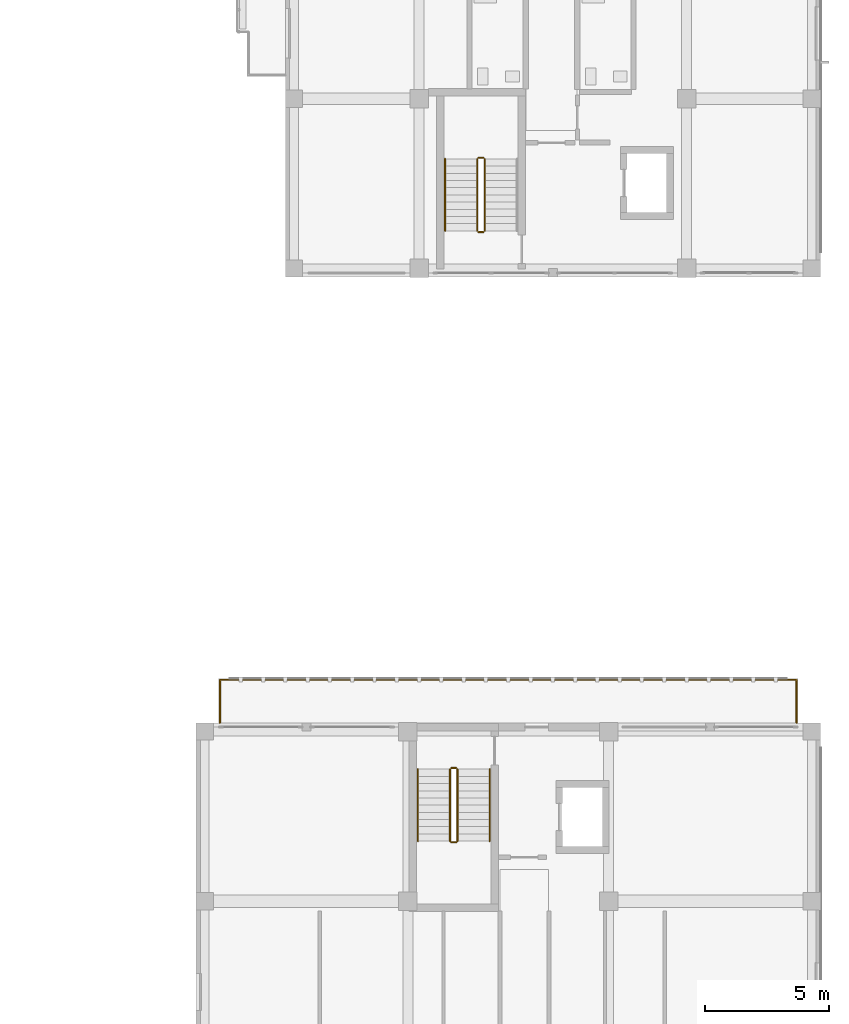
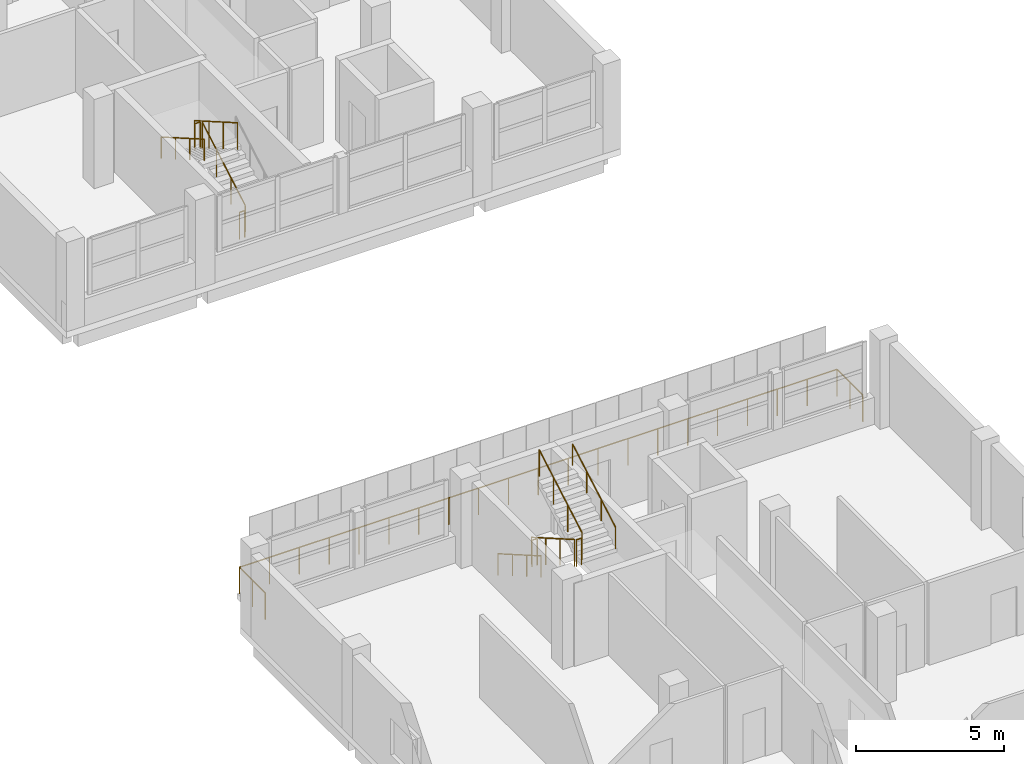
# One storey, part 69 of 73: 12 railings.
"""IFC4 building model written with IfcOpenShell, lengths in metres."""

from ifc_helpers import new_model, si_unit, derived_unit, direction, frame, origin, origin_2d, place, context, subcontext, project, spatial, circle, extrude, material, type_object, element, save


model = new_model("IFC4")

# Units and contexts
model_context = context("Model", 3, precision=1e-05, world=origin(), true_north=direction((0.0, 1.0)))
body_context = subcontext(model_context, "Body", "Model", "MODEL_VIEW")
ifc_project = project(units=[si_unit("LENGTHUNIT", "METRE"), si_unit("AREAUNIT", "SQUARE_METRE"), si_unit("VOLUMEUNIT", "CUBIC_METRE"), si_unit("PLANEANGLEUNIT", "RADIAN"), si_unit("MASSUNIT", "GRAM", prefix="KILO"), derived_unit("THERMALTRANSMITTANCEUNIT", [(si_unit("MASSUNIT", "GRAM", prefix="KILO"), 1), (si_unit("TIMEUNIT", "SECOND"), -3), (si_unit("THERMODYNAMICTEMPERATUREUNIT", "KELVIN"), -1)])], contexts=[model_context])

# Site, building, storey
site_placement = place(None, origin())
site = spatial("IfcSite", under=ifc_project, at=site_placement, CompositionType="ELEMENT")
building_placement = place(site_placement, origin())
building = spatial("IfcBuilding", under=site, at=building_placement, Name="Ochrekiln Boulevard Commons", CompositionType="ELEMENT")
storey_placement = place(building_placement, frame((0.0, 0.0, 4.89990234375)))
storey = spatial("IfcBuildingStorey", under=building, at=storey_placement, Name="L01", CompositionType="ELEMENT", Elevation=4.89990234375)

# Railings
ifc_material_1 = material(Name="Bronze-anodized extruded aluminium 6063-T6", Category="aluminium")
railing_type_1 = type_object("IfcRailingType", Name="RLG-BAL-1120", PredefinedType="BALUSTRADE", material=ifc_material_1)
railing_1_placement = place(storey_placement, frame((148.56005859375, 50.39990234375, 0.0)))
element("IfcRailing", 1, at=railing_1_placement, inside=storey, type_object=railing_type_1, Name="Block C L01 Screened Balcony Guard", PredefinedType="BALUSTRADE", context=body_context, shape_type="SweptSolid", body=[
    extrude(circle(Radius=0.02392578125, at=origin_2d()), frame((0.0, 0.0, 1.09619140625), z_axis=(0.0, 1.0, 0.0), x_axis=(-1.0, 0.0, 0.0)), (0.0, 0.0, 1.0), 1.739990234375),
    extrude(circle(Radius=0.02392578125, at=origin_2d()), frame((0.0, 1.739990234375, 1.09619140625), z_axis=(1.0, 0.0, 0.0), x_axis=(0.0, 1.0, 0.0)), (0.0, 0.0, 1.0), 23.280029296875),
    extrude(circle(Radius=0.02392578125, at=origin_2d()), frame((23.280029296875, 1.739990234375, 1.09619140625), z_axis=(0.0, -1.0, 0.0), x_axis=(1.0, 0.0, 0.0)), (0.0, 0.0, 1.0), 1.739990234375),
    extrude(circle(Radius=0.02099609375, at=origin_2d()), origin(), (0.0, 0.0, 1.0), 1.072021484375),
    extrude(circle(Radius=0.02099609375, at=origin_2d()), frame((0.0, 0.8701171875, 0.0)), (0.0, 0.0, 1.0), 1.072021484375),
    extrude(circle(Radius=0.02099609375, at=origin_2d()), frame((0.0, 1.739990234375, 0.0)), (0.0, 0.0, 1.0), 1.072021484375),
    extrude(circle(Radius=0.02099609375, at=origin_2d()), frame((1.1640625, 1.739990234375, 0.0)), (0.0, 0.0, 1.0), 1.072021484375),
    extrude(circle(Radius=0.02099609375, at=origin_2d()), frame((2.328125, 1.739990234375, 0.0)), (0.0, 0.0, 1.0), 1.072021484375),
    extrude(circle(Radius=0.02099609375, at=origin_2d()), frame((3.491943359375, 1.739990234375, 0.0)), (0.0, 0.0, 1.0), 1.072021484375),
    extrude(circle(Radius=0.02099609375, at=origin_2d()), frame((4.656005859375, 1.739990234375, 0.0)), (0.0, 0.0, 1.0), 1.072021484375),
    extrude(circle(Radius=0.02099609375, at=origin_2d()), frame((5.820068359375, 1.739990234375, 0.0)), (0.0, 0.0, 1.0), 1.072021484375),
    extrude(circle(Radius=0.02099609375, at=origin_2d()), frame((6.98388671875, 1.739990234375, 0.0)), (0.0, 0.0, 1.0), 1.072021484375),
    extrude(circle(Radius=0.02099609375, at=origin_2d()), frame((8.14794921875, 1.739990234375, 0.0)), (0.0, 0.0, 1.0), 1.072021484375),
    extrude(circle(Radius=0.02099609375, at=origin_2d()), frame((9.31201171875, 1.739990234375, 0.0)), (0.0, 0.0, 1.0), 1.072021484375),
    extrude(circle(Radius=0.02099609375, at=origin_2d()), frame((10.47607421875, 1.739990234375, 0.0)), (0.0, 0.0, 1.0), 1.072021484375),
    extrude(circle(Radius=0.02099609375, at=origin_2d()), frame((11.64013671875, 1.739990234375, 0.0)), (0.0, 0.0, 1.0), 1.072021484375),
    extrude(circle(Radius=0.02099609375, at=origin_2d()), frame((12.803955078125, 1.739990234375, 0.0)), (0.0, 0.0, 1.0), 1.072021484375),
    extrude(circle(Radius=0.02099609375, at=origin_2d()), frame((13.968017578125, 1.739990234375, 0.0)), (0.0, 0.0, 1.0), 1.072021484375),
    extrude(circle(Radius=0.02099609375, at=origin_2d()), frame((15.132080078125, 1.739990234375, 0.0)), (0.0, 0.0, 1.0), 1.072021484375),
    extrude(circle(Radius=0.02099609375, at=origin_2d()), frame((16.2958984375, 1.739990234375, 0.0)), (0.0, 0.0, 1.0), 1.072021484375),
    extrude(circle(Radius=0.02099609375, at=origin_2d()), frame((17.4599609375, 1.739990234375, 0.0)), (0.0, 0.0, 1.0), 1.072021484375),
    extrude(circle(Radius=0.02099609375, at=origin_2d()), frame((18.6240234375, 1.739990234375, 0.0)), (0.0, 0.0, 1.0), 1.072021484375),
    extrude(circle(Radius=0.02099609375, at=origin_2d()), frame((19.7880859375, 1.739990234375, 0.0)), (0.0, 0.0, 1.0), 1.072021484375),
    extrude(circle(Radius=0.02099609375, at=origin_2d()), frame((20.9521484375, 1.739990234375, 0.0)), (0.0, 0.0, 1.0), 1.072021484375),
    extrude(circle(Radius=0.02099609375, at=origin_2d()), frame((22.115966796875, 1.739990234375, 0.0)), (0.0, 0.0, 1.0), 1.072021484375),
    extrude(circle(Radius=0.02099609375, at=origin_2d()), frame((23.280029296875, 1.739990234375, 0.0)), (0.0, 0.0, 1.0), 1.072021484375),
    extrude(circle(Radius=0.02099609375, at=origin_2d()), frame((23.280029296875, 0.8701171875, 0.0)), (0.0, 0.0, 1.0), 1.072021484375),
    extrude(circle(Radius=0.02099609375, at=origin_2d()), frame((23.280029296875, 0.0, 0.0)), (0.0, 0.0, 1.0), 1.072021484375),
])
ifc_material_2 = material(Name="Brushed stainless steel 316 tubular railing", Category="steel")
railing_type_2 = type_object("IfcRailingType", Name="RLG-HDR-900", PredefinedType="HANDRAIL", material=ifc_material_2)
railing_2_placement = place(storey_placement, frame((157.64990234375, 73.169921875, 2.004638671875)))
element("IfcRailing", 2, at=railing_2_placement, inside=storey, type_object=railing_type_2, Name="L01 ST-B1 stair handrail 2", PredefinedType="HANDRAIL", context=body_context, shape_type="SweptSolid", body=[
    extrude(circle(Radius=0.02392578125, at=origin_2d()), frame((0.0, 0.0, 0.8759765625), z_axis=(0.0, -0.866523023801, 0.499137104634), x_axis=(1.0, 0.0, 0.0)), (0.0, 0.0, 1.0), 3.3466796875),
    extrude(circle(Radius=0.02099609375, at=origin_2d()), origin(), (0.0, 0.0, 1.0), 0.851806640625),
    extrude(circle(Radius=0.02099609375, at=origin_2d()), frame((0.0, -0.966552734375, 0.556884765625)), (0.0, 0.0, 1.0), 0.851806640625),
    extrude(circle(Radius=0.02099609375, at=origin_2d()), frame((0.0, -1.933349609375, 1.113525390625)), (0.0, 0.0, 1.0), 0.851806640625),
    extrude(circle(Radius=0.02099609375, at=origin_2d()), frame((0.0, -2.89990234375, 1.67041015625)), (0.0, 0.0, 1.0), 0.851806640625),
])
railing_3_placement = place(storey_placement, frame((156.550048828125, 48.530029296875, 0.167236328125)))
element("IfcRailing", 3, at=railing_3_placement, inside=storey, type_object=railing_type_2, Name="L01 ST-C2 stair handrail 1", PredefinedType="HANDRAIL", context=body_context, shape_type="SweptSolid", body=[
    extrude(circle(Radius=0.02392578125, at=origin_2d()), frame((0.0, 0.0, 0.8759765625), z_axis=(0.0, -0.866541197165, 0.499105553582), x_axis=(1.0, 0.0, 0.0)), (0.0, 0.0, 1.0), 3.346923828125),
    extrude(circle(Radius=0.02099609375, at=origin_2d()), origin(), (0.0, 0.0, 1.0), 0.851806640625),
    extrude(circle(Radius=0.02099609375, at=origin_2d()), frame((0.0, -0.966796875, 0.556884765625)), (0.0, 0.0, 1.0), 0.851806640625),
    extrude(circle(Radius=0.02099609375, at=origin_2d()), frame((0.0, -1.933349609375, 1.113525390625)), (0.0, 0.0, 1.0), 0.851806640625),
    extrude(circle(Radius=0.02099609375, at=origin_2d()), frame((0.0, -2.900146484375, 1.67041015625)), (0.0, 0.0, 1.0), 0.851806640625),
])
railing_4_placement = place(storey_placement, frame((159.449951171875, 45.6298828125, 2.004638671875)))
element("IfcRailing", 4, at=railing_4_placement, inside=storey, type_object=railing_type_2, Name="L01 ST-C2 stair handrail 2", PredefinedType="HANDRAIL", context=body_context, shape_type="SweptSolid", body=[
    extrude(circle(Radius=0.02392578125, at=origin_2d()), frame((0.0, 0.0, 0.8759765625), z_axis=(0.0, 0.866541197165, 0.499105553582), x_axis=(-1.0, 0.0, 0.0)), (0.0, 0.0, 1.0), 3.346923828125),
    extrude(circle(Radius=0.02099609375, at=origin_2d()), origin(), (0.0, 0.0, 1.0), 0.851806640625),
    extrude(circle(Radius=0.02099609375, at=origin_2d()), frame((0.0, 0.966796875, 0.556884765625)), (0.0, 0.0, 1.0), 0.851806640625),
    extrude(circle(Radius=0.02099609375, at=origin_2d()), frame((0.0, 1.933349609375, 1.113525390625)), (0.0, 0.0, 1.0), 0.851806640625),
    extrude(circle(Radius=0.02099609375, at=origin_2d()), frame((0.0, 2.900146484375, 1.67041015625)), (0.0, 0.0, 1.0), 0.851806640625),
])
railing_type_3 = type_object("IfcRailingType", Name="RLG-STR-1120", PredefinedType="BALUSTRADE", material=ifc_material_2)
railing_5_placement = place(storey_placement, frame((159.25, 70.27001953125, 0.167236328125)))
element("IfcRailing", 5, at=railing_5_placement, inside=storey, type_object=railing_type_3, Name="L01 ST-B1 stair guard 1", PredefinedType="BALUSTRADE", context=body_context, shape_type="SweptSolid", body=[
    extrude(circle(Radius=0.02392578125, at=origin_2d()), frame((0.0, 0.0, 1.09619140625), z_axis=(0.0, 0.866523023801, 0.499137104634), x_axis=(-1.0, 0.0, 0.0)), (0.0, 0.0, 1.0), 3.3466796875),
    extrude(circle(Radius=0.02099609375, at=origin_2d()), origin(), (0.0, 0.0, 1.0), 1.072021484375),
    extrude(circle(Radius=0.02099609375, at=origin_2d()), frame((0.0, 0.966552734375, 0.556884765625)), (0.0, 0.0, 1.0), 1.072021484375),
    extrude(circle(Radius=0.02099609375, at=origin_2d()), frame((0.0, 1.933349609375, 1.113525390625)), (0.0, 0.0, 1.0), 1.072021484375),
    extrude(circle(Radius=0.02099609375, at=origin_2d()), frame((0.0, 2.89990234375, 1.67041015625)), (0.0, 0.0, 1.0), 1.072021484375),
])
railing_6_placement = place(storey_placement, frame((159.199951171875, 73.219970703125, 1.837646484375)))
element("IfcRailing", 6, at=railing_6_placement, inside=storey, type_object=railing_type_3, Name="L01 ST-B1 stair guard 2", PredefinedType="BALUSTRADE", context=body_context, shape_type="SweptSolid", body=[
    extrude(circle(Radius=0.02392578125, at=origin_2d()), frame((0.0, 0.0, 1.09619140625), z_axis=(-1.0, 0.0, 0.0), x_axis=(0.0, -1.0, 0.0)), (0.0, 0.0, 1.0), 0.199951171875),
    extrude(circle(Radius=0.02099609375, at=origin_2d()), origin(), (0.0, 0.0, 1.0), 1.072021484375),
    extrude(circle(Radius=0.02099609375, at=origin_2d()), frame((-0.199951171875, 0.0, 0.0)), (0.0, 0.0, 1.0), 1.072021484375),
])
railing_7_placement = place(storey_placement, frame((158.949951171875, 73.169921875, 2.004638671875)))
element("IfcRailing", 7, at=railing_7_placement, inside=storey, type_object=railing_type_3, Name="L01 ST-B1 stair guard 3", PredefinedType="BALUSTRADE", context=body_context, shape_type="SweptSolid", body=[
    extrude(circle(Radius=0.02392578125, at=origin_2d()), frame((0.0, 0.0, 1.09619140625), z_axis=(0.0, -0.866523023801, 0.499137104634), x_axis=(1.0, 0.0, 0.0)), (0.0, 0.0, 1.0), 3.3466796875),
    extrude(circle(Radius=0.02099609375, at=origin_2d()), origin(), (0.0, 0.0, 1.0), 1.072021484375),
    extrude(circle(Radius=0.02099609375, at=origin_2d()), frame((0.0, -0.966552734375, 0.556884765625)), (0.0, 0.0, 1.0), 1.072021484375),
    extrude(circle(Radius=0.02099609375, at=origin_2d()), frame((0.0, -1.933349609375, 1.113525390625)), (0.0, 0.0, 1.0), 1.072021484375),
    extrude(circle(Radius=0.02099609375, at=origin_2d()), frame((0.0, -2.89990234375, 1.67041015625)), (0.0, 0.0, 1.0), 1.072021484375),
])
railing_8_placement = place(storey_placement, frame((159.199951171875, 70.219970703125, 0.0)))
element("IfcRailing", 8, at=railing_8_placement, inside=storey, type_object=railing_type_3, Name="L01 ST-B1 stair guard 4", PredefinedType="BALUSTRADE", context=body_context, shape_type="SweptSolid", body=[
    extrude(circle(Radius=0.02392578125, at=origin_2d()), frame((0.0, 0.0, 1.09619140625), z_axis=(-1.0, 0.0, 0.0), x_axis=(0.0, -1.0, 0.0)), (0.0, 0.0, 1.0), 0.199951171875),
    extrude(circle(Radius=0.02099609375, at=origin_2d()), origin(), (0.0, 0.0, 1.0), 1.072021484375),
    extrude(circle(Radius=0.02099609375, at=origin_2d()), frame((-0.199951171875, 0.0, 0.0)), (0.0, 0.0, 1.0), 1.072021484375),
])
railing_9_placement = place(storey_placement, frame((157.85009765625, 48.530029296875, 0.167236328125)))
element("IfcRailing", 9, at=railing_9_placement, inside=storey, type_object=railing_type_3, Name="L01 ST-C2 stair guard 1", PredefinedType="BALUSTRADE", context=body_context, shape_type="SweptSolid", body=[
    extrude(circle(Radius=0.02392578125, at=origin_2d()), frame((0.0, 0.0, 1.09619140625), z_axis=(0.0, -0.866541197165, 0.499105553582), x_axis=(1.0, 0.0, 0.0)), (0.0, 0.0, 1.0), 3.346923828125),
    extrude(circle(Radius=0.02099609375, at=origin_2d()), origin(), (0.0, 0.0, 1.0), 1.072021484375),
    extrude(circle(Radius=0.02099609375, at=origin_2d()), frame((0.0, -0.966796875, 0.556884765625)), (0.0, 0.0, 1.0), 1.072021484375),
    extrude(circle(Radius=0.02099609375, at=origin_2d()), frame((0.0, -1.933349609375, 1.113525390625)), (0.0, 0.0, 1.0), 1.072021484375),
    extrude(circle(Radius=0.02099609375, at=origin_2d()), frame((0.0, -2.900146484375, 1.67041015625)), (0.0, 0.0, 1.0), 1.072021484375),
])
railing_10_placement = place(storey_placement, frame((157.89990234375, 45.580078125, 1.837646484375)))
element("IfcRailing", 10, at=railing_10_placement, inside=storey, type_object=railing_type_3, Name="L01 ST-C2 stair guard 2", PredefinedType="BALUSTRADE", context=body_context, shape_type="SweptSolid", body=[
    extrude(circle(Radius=0.02392578125, at=origin_2d()), frame((0.0, 0.0, 1.09619140625), z_axis=(1.0, 0.0, 0.0), x_axis=(0.0, 1.0, 0.0)), (0.0, 0.0, 1.0), 0.2001953125),
    extrude(circle(Radius=0.02099609375, at=origin_2d()), origin(), (0.0, 0.0, 1.0), 1.072021484375),
    extrude(circle(Radius=0.02099609375, at=origin_2d()), frame((0.2001953125, 0.0, 0.0)), (0.0, 0.0, 1.0), 1.072021484375),
])
railing_11_placement = place(storey_placement, frame((158.14990234375, 45.6298828125, 2.004638671875)))
element("IfcRailing", 11, at=railing_11_placement, inside=storey, type_object=railing_type_3, Name="L01 ST-C2 stair guard 3", PredefinedType="BALUSTRADE", context=body_context, shape_type="SweptSolid", body=[
    extrude(circle(Radius=0.02392578125, at=origin_2d()), frame((0.0, 0.0, 1.09619140625), z_axis=(0.0, 0.866541197165, 0.499105553582), x_axis=(-1.0, 0.0, 0.0)), (0.0, 0.0, 1.0), 3.346923828125),
    extrude(circle(Radius=0.02099609375, at=origin_2d()), origin(), (0.0, 0.0, 1.0), 1.072021484375),
    extrude(circle(Radius=0.02099609375, at=origin_2d()), frame((0.0, 0.966796875, 0.556884765625)), (0.0, 0.0, 1.0), 1.072021484375),
    extrude(circle(Radius=0.02099609375, at=origin_2d()), frame((0.0, 1.933349609375, 1.113525390625)), (0.0, 0.0, 1.0), 1.072021484375),
    extrude(circle(Radius=0.02099609375, at=origin_2d()), frame((0.0, 2.900146484375, 1.67041015625)), (0.0, 0.0, 1.0), 1.072021484375),
])
railing_12_placement = place(storey_placement, frame((157.89990234375, 48.580078125, 0.0)))
element("IfcRailing", 12, at=railing_12_placement, inside=storey, type_object=railing_type_3, Name="L01 ST-C2 stair guard 4", PredefinedType="BALUSTRADE", context=body_context, shape_type="SweptSolid", body=[
    extrude(circle(Radius=0.02392578125, at=origin_2d()), frame((0.0, 0.0, 1.09619140625), z_axis=(1.0, 0.0, 0.0), x_axis=(0.0, 1.0, 0.0)), (0.0, 0.0, 1.0), 0.2001953125),
    extrude(circle(Radius=0.02099609375, at=origin_2d()), origin(), (0.0, 0.0, 1.0), 1.072021484375),
    extrude(circle(Radius=0.02099609375, at=origin_2d()), frame((0.2001953125, 0.0, 0.0)), (0.0, 0.0, 1.0), 1.072021484375),
])

save(model, "model.ifc")
